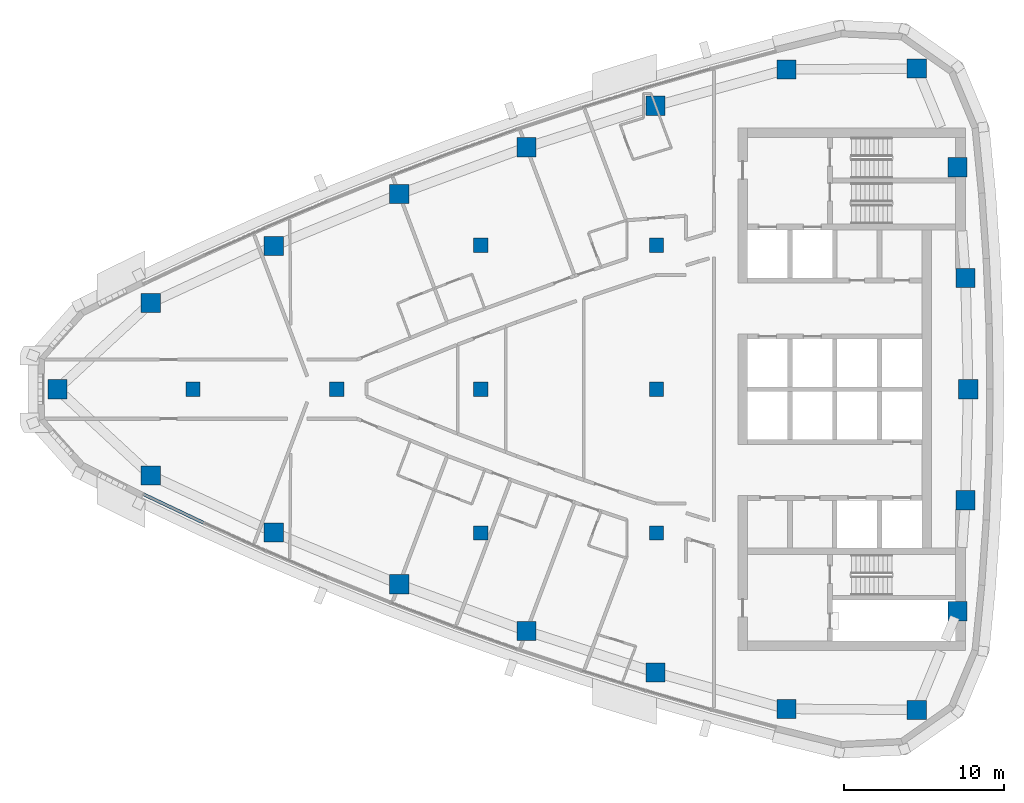
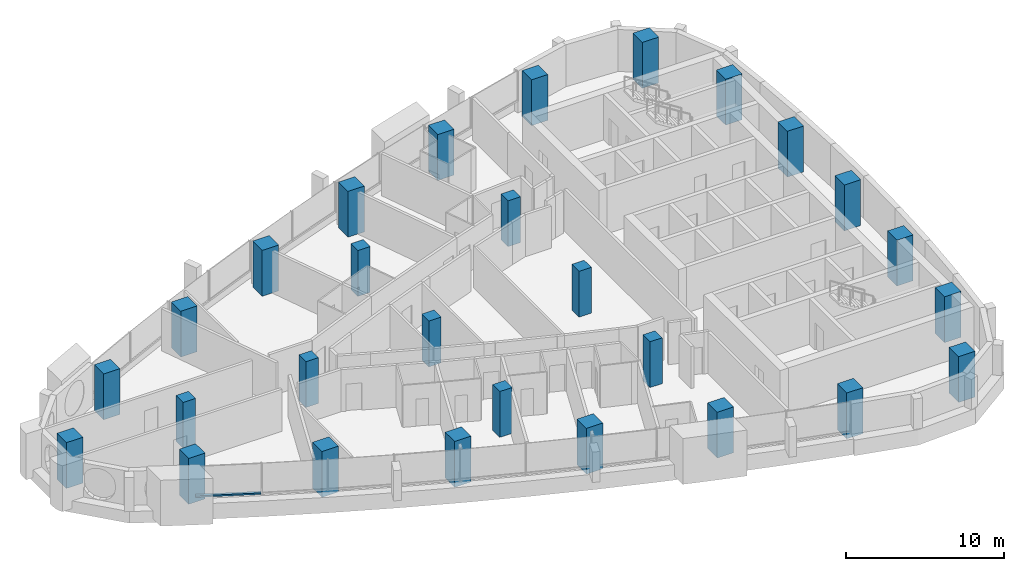
# One storey, part 1 of 16: 28 columns, 1 member, 1 element without a shape of its own.
"""IFC4 building model written with IfcOpenShell, lengths in metres."""

from ifc_helpers import new_model, si_unit, direction, frame, origin, origin_2d, place, context, subcontext, project, spatial, rectangle, extrude, material, layer, layer_set, material_profile, profile_set, type_object, element, aggregate, save


model = new_model("IFC4")

# Units and contexts
model_context = context("Model", 3, precision=1e-05, world=origin(), true_north=direction((0.0, 1.0)))
body_context = subcontext(model_context, "Body", "Model", "MODEL_VIEW")
ifc_project = project(units=[si_unit("LENGTHUNIT", "METRE"), si_unit("AREAUNIT", "SQUARE_METRE"), si_unit("VOLUMEUNIT", "CUBIC_METRE"), si_unit("PLANEANGLEUNIT", "RADIAN"), si_unit("MASSUNIT", "GRAM", prefix="KILO")], contexts=[model_context])

# Site, building, storey
site_placement = place(None, origin())
site = spatial("IfcSite", under=ifc_project, at=site_placement, CompositionType="ELEMENT")
building_placement = place(site_placement, origin())
building = spatial("IfcBuilding", under=site, at=building_placement, Name="Ostrand Prow Hotel Tower", CompositionType="ELEMENT")
storey_placement = place(building_placement, frame((0.0, 0.0, 220.800048828125)))
storey = spatial("IfcBuildingStorey", under=building, at=storey_placement, Name="L55", CompositionType="ELEMENT", Elevation=220.800048828125)

# Columns
ifc_material_1 = material(Name="Concrete C50/60", Category="concrete")
ifc_material_profile_1 = material_profile(ifc_material_1, rectangle(XDim=0.89990234375, YDim=0.89990234375, at=origin_2d()), Name="RC 900x900")
ifc_profile_set_1 = profile_set([ifc_material_profile_1], Name="Concrete C50/60")
column_type_1 = type_object("IfcColumnType", Name="Interior column 900x900 C50/60", PredefinedType="COLUMN", material=ifc_profile_set_1)
for number, where, z_axis, x_axis, name in (
    (1, (16.0, 0.0, 0.0), (0.0, 0.0, 1.0), (1.0, 0.0, 0.0), "Interior column 16C0"),
    (2, (25.0, 0.0, 0.0), (0.0, 0.0, 1.0), (1.0, 0.0, 0.0), "Interior column 25C0"),
    (3, (34.0, -9.0, 0.0), (0.0, 0.0, 1.0), (1.0, 0.0, 0.0), "Interior column 34S9"),
    (4, (34.0, 0.0, 0.0), (0.0, 0.0, 1.0), (1.0, 0.0, 0.0), "Interior column 34C0"),
    (5, (34.0, 9.0, 0.0), (0.0, 0.0, 1.0), (1.0, 0.0, 0.0), "Interior column 34N9"),
    (6, (45.0, -9.0, 0.0), (0.0, 0.0, 1.0), (1.0, 0.0, 0.0), "Interior column 45S9"),
    (7, (45.0, 0.0, 0.0), (0.0, 0.0, 1.0), (1.0, 0.0, 0.0), "Interior column 45C0"),
    (8, (45.0, 9.0, 0.0), (0.0, 0.0, 1.0), (1.0, 0.0, 0.0), "Interior column 45N9"),
):
    element("IfcColumn", number, at=place(storey_placement, frame(where, z_axis=z_axis, x_axis=x_axis)), inside=storey, type_object=column_type_1, Name=name, PredefinedType="COLUMN", context=body_context, shape_type="SweptSolid", body=[
        extrude(rectangle(XDim=0.89990234375, YDim=0.89990234375, at=origin_2d()), origin(), (0.0, 0.0, 1.0), 3.550048828125),
    ])
ifc_material_2 = material(Name="Concrete C50/60", Category="concrete")
ifc_material_profile_2 = material_profile(ifc_material_2, rectangle(XDim=1.199951171875, YDim=1.199951171875, at=origin_2d()), Name="RC 1200x1200")
ifc_profile_set_2 = profile_set([ifc_material_profile_2], Name="Concrete C50/60")
column_type_2 = type_object("IfcColumnType", Name="Stone-faced mega column 1200x1200 C50/60", PredefinedType="COLUMN", material=ifc_profile_set_2)
for number, where, z_axis, x_axis, name in (
    (9, (7.513916015625, 0.0, 0.0), (0.0, 0.0, 1.0), (1.0, 0.0, 0.0), "Mega column P"),
    (10, (13.356201171875, -5.392822265625, 0.0), (0.0, 0.0, 1.0), (1.0, 0.0, 0.0), "Mega column S1"),
    (11, (21.05859375, -8.95751953125, 0.0), (0.0, 0.0, 1.0), (1.0, 0.0, 0.0), "Mega column S2"),
    (12, (28.900146484375, -12.205322265625, 0.0), (0.0, 0.0, 1.0), (1.0, 0.0, 0.0), "Mega column S3"),
    (13, (36.8671875, -15.131591796875, 0.0), (0.0, 0.0, 1.0), (1.0, 0.0, 0.0), "Mega column S4"),
    (14, (44.94677734375, -17.731201171875, 0.0), (0.0, 0.0, 1.0), (1.0, 0.0, 0.0), "Mega column S5"),
    (15, (53.12548828125, -19.99951171875, 0.0), (0.0, 0.0, 1.0), (1.0, 0.0, 0.0), "Mega column S6"),
    (16, (61.283935546875, -20.06201171875, 0.0), (0.0, 0.0, 1.0), (1.0, 0.0, 0.0), "Mega column SE"),
    (17, (63.826416015625, -13.887939453125, 0.0), (0.0, 0.0, 1.0), (1.0, 0.0, 0.0), "Mega column B1"),
    (18, (64.33154296875, -6.9521484375, 0.0), (0.0, 0.0, 1.0), (1.0, 0.0, 0.0), "Mega column B2"),
    (19, (64.5, 0.0, 0.0), (0.0, 0.0, 1.0), (1.0, 0.0, 0.0), "Mega column B3"),
    (20, (64.33154296875, 6.9521484375, 0.0), (0.0, 0.0, 1.0), (1.0, 0.0, 0.0), "Mega column B4"),
    (21, (63.826416015625, 13.887939453125, 0.0), (0.0, 0.0, 1.0), (1.0, 0.0, 0.0), "Mega column B5"),
    (22, (61.283935546875, 20.06201171875, 0.0), (0.0, 0.0, 1.0), (1.0, 0.0, 0.0), "Mega column NE"),
    (23, (53.12548828125, 19.99951171875, 0.0), (0.0, 0.0, 1.0), (1.0, 0.0, 0.0), "Mega column N1"),
    (24, (44.94677734375, 17.731201171875, 0.0), (0.0, 0.0, 1.0), (1.0, 0.0, 0.0), "Mega column N2"),
    (25, (36.8671875, 15.131591796875, 0.0), (0.0, 0.0, 1.0), (1.0, 0.0, 0.0), "Mega column N3"),
    (26, (28.900146484375, 12.205322265625, 0.0), (0.0, 0.0, 1.0), (1.0, 0.0, 0.0), "Mega column N4"),
    (27, (21.05859375, 8.95751953125, 0.0), (0.0, 0.0, 1.0), (1.0, 0.0, 0.0), "Mega column N5"),
    (28, (13.356201171875, 5.392822265625, 0.0), (0.0, 0.0, 1.0), (1.0, 0.0, 0.0), "Mega column N6"),
):
    element("IfcColumn", number, at=place(storey_placement, frame(where, z_axis=z_axis, x_axis=x_axis)), inside=storey, type_object=column_type_2, Name=name, PredefinedType="COLUMN", context=body_context, shape_type="SweptSolid", body=[
        extrude(rectangle(XDim=1.199951171875, YDim=1.199951171875, at=origin_2d()), origin(), (0.0, 0.0, 1.0), 3.550048828125),
    ])

# Curtain wall, member
ifc_material_3 = material(Name="Insulated glass in bronze anodised frame", Category="glass")
ifc_layer = layer(ifc_material_3, 0.199951171875)
ifc_layer_set = layer_set([ifc_layer], Name="Insulated glass in bronze anodised frame")
curtain_wall_type = type_object("IfcCurtainWallType", Name="Strip curtain wall, fritted glass over bronze spandrel", PredefinedType="NOTDEFINED", material=ifc_layer_set)
curtain_wall_placement = place(storey_placement, origin())
curtain_wall = element("IfcCurtainWall", 29, at=curtain_wall_placement, inside=storey, type_object=curtain_wall_type, Name="CW1 run CWS1", PredefinedType="NOTDEFINED")
ifc_material_4 = material(Name="Bronze anodised aluminium", Category="aluminium")
ifc_material_profile_3 = material_profile(ifc_material_4, rectangle(XDim=0.199951171875, YDim=0.1201171875, at=origin_2d()), Name="Transom 120x200 bronze anodised aluminium")
ifc_profile_set_3 = profile_set([ifc_material_profile_3], Name="Bronze anodised aluminium")
member_type = type_object("IfcMemberType", Name="Transom 120x200 bronze anodised aluminium", PredefinedType="USERDEFINED", material=ifc_profile_set_3)
member_placement = place(storey_placement, frame((12.92041015625, -6.583740234375, 0.9599609375), z_axis=(0.903364977925, -0.428872611226, 0.0), x_axis=(0.428872611226, 0.903364977925, 0.0)))
member = element("IfcMember", 30, at=member_placement, type_object=member_type, Name="CW1 transom 1.1", ObjectType="TRANSOM", PredefinedType="USERDEFINED", context=body_context, shape_type="SweptSolid", body=[
    extrude(rectangle(XDim=0.199951171875, YDim=0.1201171875, at=origin_2d()), origin(), (0.0, 0.0, 1.0), 4.16357421875),
])
aggregate(curtain_wall, [member])

save(model, "model.ifc")
